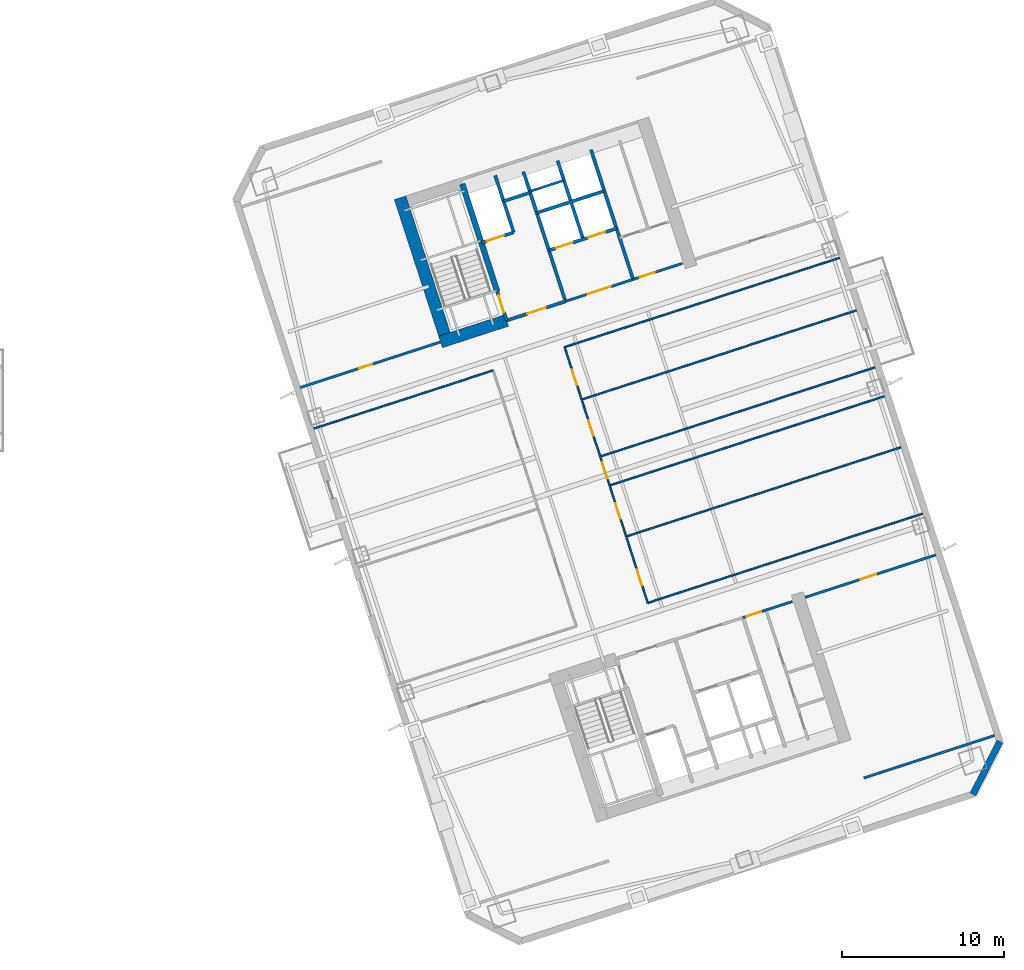
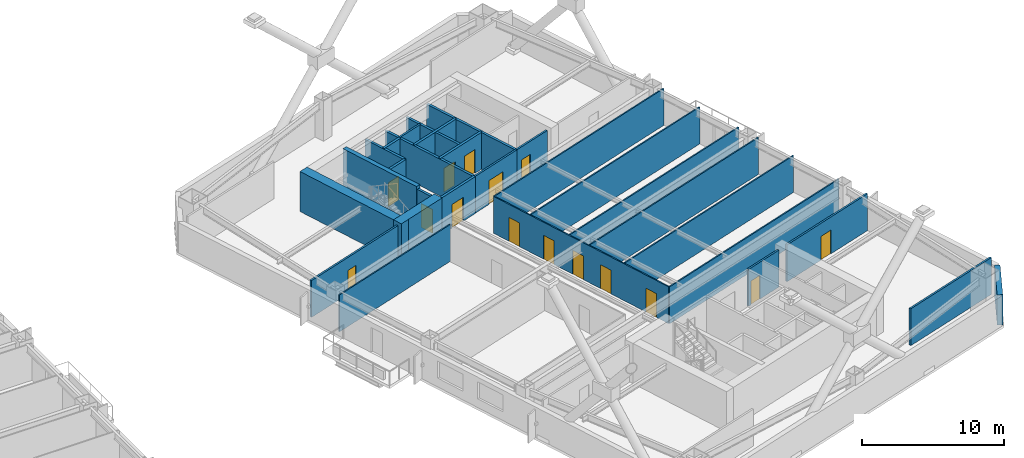
# One storey, part 10 of 19: 29 walls, 15 doors, 15 openings.
"""IFC4 building model written with IfcOpenShell, lengths in metres."""

from ifc_helpers import new_model, si_unit, direction, frame, frame_2d, origin, place, context, subcontext, project, spatial, rectangle, extrude, material, layer, layer_set, type_object, element, fill, save


model = new_model("IFC4")

# Units and contexts
model_context = context("Model", 3, precision=1e-05, world=origin(), true_north=direction((0.0, 1.0)))
body_context = subcontext(model_context, "Body", "Model", "MODEL_VIEW")
ifc_project = project(units=[si_unit("LENGTHUNIT", "METRE"), si_unit("AREAUNIT", "SQUARE_METRE"), si_unit("VOLUMEUNIT", "CUBIC_METRE"), si_unit("PLANEANGLEUNIT", "RADIAN"), si_unit("MASSUNIT", "GRAM", prefix="KILO")], contexts=[model_context])

# Site, building, storey
site_placement = place(None, origin())
site = spatial("IfcSite", under=ifc_project, at=site_placement, CompositionType="ELEMENT")
building_placement = place(site_placement, origin())
building = spatial("IfcBuilding", under=site, at=building_placement, Name="Qiaolan Cultural Towers", CompositionType="ELEMENT")
storey_placement = place(building_placement, frame((0.0, 0.0, 78.199951171875)))
storey = spatial("IfcBuildingStorey", under=building, at=storey_placement, Name="L19", CompositionType="ELEMENT", Elevation=78.199951171875)

# Walls
ifc_material_1 = material(Name="Concrete C50", Category="concrete")
ifc_layer_1 = layer(ifc_material_1, 0.35009765625)
ifc_layer_set_1 = layer_set([ifc_layer_1], Name="Concrete C50")
wall_type_1 = type_object("IfcWallType", Name="WL-CORE-350", PredefinedType="SHEAR", material=ifc_layer_set_1)
wall_1_placement = place(storey_placement, frame((82.513671875, 45.13134765625, 0.0), z_axis=(0.0, 0.0, 1.0), x_axis=(-0.308988790936, 0.951065679686, 0.0)))
element("IfcWall", 1, at=wall_1_placement, inside=storey, type_object=wall_type_1, Name="L19 T2-CN Stair Core Dividing Web", PredefinedType="SHEAR", context=body_context, shape_type="SweptSolid", body=[
    extrude(rectangle(XDim=6.97998046875, YDim=0.35009765625, at=frame_2d((3.489990234375, 0.0))), origin(), (0.0, 0.0, 1.0), 3.449951171875),
])
ifc_material_2 = material(Name="Concrete C60", Category="concrete")
ifc_layer_2 = layer(ifc_material_2, 0.75)
ifc_layer_set_2 = layer_set([ifc_layer_2], Name="Concrete C60")
wall_type_2 = type_object("IfcWallType", Name="WL-CORE-750", PredefinedType="SHEAR", material=ifc_layer_set_2)
wall_2_placement = place(storey_placement, frame((79.48876953125, 41.75634765625, 0.0), z_axis=(0.0, 0.0, 1.0), x_axis=(-0.309016134813, 0.951056795583, 0.0)))
element("IfcWall", 2, at=wall_2_placement, inside=storey, type_object=wall_type_2, Name="L19 T2-CN West Core Shear Wall", PredefinedType="SHEAR", context=body_context, shape_type="SweptSolid", body=[
    extrude(rectangle(XDim=9.630126953125, YDim=0.75, at=frame_2d((4.81494140625, 0.0))), origin(), (0.0, 0.0, 1.0), 3.449951171875),
])
wall_3_placement = place(storey_placement, frame((79.01611328125, 41.997314453125, 0.0), z_axis=(0.0, 0.0, 1.0), x_axis=(0.95106038264, 0.309005094736, 0.0)))
element("IfcWall", 3, at=wall_3_placement, inside=storey, type_object=wall_type_2, Name="L19 T2-CN Stair Front Shear Wall", PredefinedType="SHEAR", context=body_context, shape_type="SweptSolid", body=[
    extrude(rectangle(XDim=4.294921875, YDim=0.75, at=frame_2d((2.1474609375, 0.0))), origin(), (0.0, 0.0, 1.0), 3.449951171875),
])
ifc_material_3 = material(Name="Precast Concrete C50 Honed Stone Pier", Category="masonry")
ifc_layer_3 = layer(ifc_material_3, 0.39990234375)
ifc_layer_set_3 = layer_set([ifc_layer_3], Name="Precast Concrete C50 Honed Stone Pier")
wall_type_3 = type_object("IfcWallType", Name="WL-EXT-PIER-400", PredefinedType="SOLIDWALL", material=ifc_layer_set_3)
wall_4_placement = place(storey_placement, frame((113.62255859375, 17.281494140625, 0.0), z_axis=(0.0, 0.0, 1.0), x_axis=(-0.454026238093, -0.890988313685, 0.0)))
element("IfcWall", 4, at=wall_4_placement, inside=storey, type_object=wall_type_3, Name="L19 East Tower Precast Pier Facade Wall F6", PredefinedType="SOLIDWALL", context=body_context, shape_type="SweptSolid", body=[
    extrude(rectangle(XDim=3.677001953125, YDim=0.39990234375, at=frame_2d((1.83837890625, 0.0))), origin(), (0.0, 0.0, 1.0), 2.610107421875),
])

# Wall, opening, door
ifc_material_4 = material(Name="Concrete C35 Fire Wall", Category="concrete")
ifc_layer_4 = layer(ifc_material_4, 0.199951171875)
ifc_layer_set_4 = layer_set([ifc_layer_4], Name="Concrete C35 Fire Wall")
wall_type_4 = type_object("IfcWallType", Name="WL-FIRE-200", PredefinedType="PARTITIONING", material=ifc_layer_set_4)
wall_5_placement = place(storey_placement, frame((83.100830078125, 43.324462890625, 0.0), z_axis=(0.0, 0.0, 1.0), x_axis=(-0.309048298632, 0.951046344356, 0.0)))
wall_5 = element("IfcWall", 5, at=wall_5_placement, inside=storey, type_object=wall_type_4, Name="L19 T2-CN Smokeproof Stair Entry Wall", PredefinedType="PARTITIONING", context=body_context, shape_type="SweptSolid", body=[
    extrude(rectangle(XDim=1.89990234375, YDim=0.199951171875, at=frame_2d((0.949951171875, 0.0))), origin(), (0.0, 0.0, 1.0), 3.175048828125),
])
opening_1_placement = place(wall_5_placement, frame((0.52001953125, 0.0, 0.0)))
opening_1 = element("IfcOpeningElement", 6, at=opening_1_placement, cuts=wall_5, Name="Opening FD-04", PredefinedType="OPENING", context=body_context, shape_type="SweptSolid", body=[
    extrude(rectangle(XDim=1.10009765625, YDim=2.050048828125, at=frame_2d((0.550048828125, 1.02490234375))), frame((0.0, 0.10986328125, 0.0), z_axis=(0.0, -1.0, 0.0), x_axis=(1.0, 0.0, 0.0)), (0.0, 0.0, 1.0), 0.219970703125),
])
ifc_material_5 = material(Name="Galvanized Steel Command Fire Door", Category="steel")
door_type_1 = type_object("IfcDoorType", Name="DR-FD90-1100", OperationType="NOTDEFINED", PredefinedType="DOOR", material=ifc_material_5)
door_1_placement = place(opening_1_placement, origin())
door_1 = element("IfcDoor", 7, at=door_1_placement, inside=storey, type_object=door_type_1, Name="L19 ST-E2 Smokeproof Stair Fire Door", OperationType="SINGLE_SWING_LEFT", OverallHeight=2.050048828125, OverallWidth=1.10009765625, PredefinedType="DOOR", context=body_context, shape_type="SweptSolid", body=[
    extrude(rectangle(XDim=1.10009765625, YDim=2.050048828125, at=frame_2d((0.550048828125, 1.02490234375))), frame((0.0, 0.02490234375, 0.0), z_axis=(0.0, -1.0, 0.0), x_axis=(1.0, 0.0, 0.0)), (0.0, 0.0, 1.0), 0.050048828125),
])
fill(opening_1, door_1)

# Wall
wall_6_placement = place(storey_placement, frame((86.743408203125, 44.508056640625, 0.0), z_axis=(0.0, 0.0, 1.0), x_axis=(-0.309016001439, 0.951056838919, 0.0)))
element("IfcWall", 8, at=wall_6_placement, inside=storey, type_object=wall_type_4, Name="L19 T2-CN Firefighting Zone Wall", PredefinedType="PARTITIONING", context=body_context, shape_type="SweptSolid", body=[
    extrude(rectangle(XDim=8.429931640625, YDim=0.199951171875, at=frame_2d((4.21484375, 0.0))), origin(), (0.0, 0.0, 1.0), 3.175048828125),
])

# Wall, opening, door
wall_7_placement = place(storey_placement, frame((83.100830078125, 43.324462890625, 0.0), z_axis=(0.0, 0.0, 1.0), x_axis=(0.951052804469, 0.309028417967, 0.0)))
wall_7 = element("IfcWall", 9, at=wall_7_placement, inside=storey, type_object=wall_type_4, Name="L19 T2-CN Firefighting Lobby Front Wall", PredefinedType="PARTITIONING", context=body_context, shape_type="SweptSolid", body=[
    extrude(rectangle(XDim=3.830078125, YDim=0.199951171875, at=frame_2d((1.9150390625, 0.0))), origin(), (0.0, 0.0, 1.0), 3.175048828125),
])
opening_2_placement = place(wall_7_placement, frame((1.35009765625, 0.0, 0.0)))
opening_2 = element("IfcOpeningElement", 10, at=opening_2_placement, cuts=wall_7, Name="Opening FD-03", PredefinedType="OPENING", context=body_context, shape_type="SweptSolid", body=[
    extrude(rectangle(XDim=1.199951171875, YDim=2.050048828125, at=frame_2d((0.60009765625, 1.02490234375))), frame((0.0, 0.10986328125, 0.0), z_axis=(0.0, -1.0, 0.0), x_axis=(1.0, 0.0, 0.0)), (0.0, 0.0, 1.0), 0.219970703125),
])
ifc_material_6 = material(Name="Galvanized Steel Smokeproof Lobby Fire Door", Category="steel")
door_type_2 = type_object("IfcDoorType", Name="DR-FD90-1200", OperationType="NOTDEFINED", PredefinedType="DOOR", material=ifc_material_6)
door_2_placement = place(opening_2_placement, origin())
door_2 = element("IfcDoor", 11, at=door_2_placement, inside=storey, type_object=door_type_2, Name="L19 FFL-E2 Firefighting Lobby Fire Door", OperationType="SINGLE_SWING_LEFT", OverallHeight=2.050048828125, OverallWidth=1.199951171875, PredefinedType="DOOR", context=body_context, shape_type="SweptSolid", body=[
    extrude(rectangle(XDim=1.199951171875, YDim=2.050048828125, at=frame_2d((0.60009765625, 1.02490234375))), frame((0.0, 0.02490234375, 0.0), z_axis=(0.0, -1.0, 0.0), x_axis=(1.0, 0.0, 0.0)), (0.0, 0.0, 1.0), 0.050048828125),
])
fill(opening_2, door_2)

wall_8_placement = place(storey_placement, frame((81.540283203125, 48.127197265625, 0.0), z_axis=(0.0, 0.0, 1.0), x_axis=(0.951062257173, 0.308999325213, 0.0)))
wall_8 = element("IfcWall", 12, at=wall_8_placement, inside=storey, type_object=wall_type_4, Name="L19 T2-CN Firefighting Shaft Front Wall", PredefinedType="PARTITIONING", context=body_context, shape_type="SweptSolid", body=[
    extrude(rectangle(XDim=2.10009765625, YDim=0.199951171875, at=frame_2d((1.050048828125, 0.0))), origin(), (0.0, 0.0, 1.0), 3.175048828125),
])
opening_3_placement = place(wall_8_placement, frame((0.35009765625, 0.0, 0.0)))
opening_3 = element("IfcOpeningElement", 13, at=opening_3_placement, cuts=wall_8, Name="Opening LD-01", PredefinedType="OPENING", context=body_context, shape_type="SweptSolid", body=[
    extrude(rectangle(XDim=1.10009765625, YDim=2.050048828125, at=frame_2d((0.550048828125, 1.02490234375))), frame((0.0, 0.10986328125, 0.0), z_axis=(0.0, -1.0, 0.0), x_axis=(1.0, 0.0, 0.0)), (0.0, 0.0, 1.0), 0.219970703125),
])
ifc_material_7 = material(Name="Brushed Stainless Steel S30408 Centre-Parting Lift Landing Door", Category="steel")
door_type_3 = type_object("IfcDoorType", Name="DR-LIFT-1100", OperationType="NOTDEFINED", PredefinedType="DOOR", material=ifc_material_7)
door_3_placement = place(opening_3_placement, origin())
door_3 = element("IfcDoor", 14, at=door_3_placement, inside=storey, type_object=door_type_3, Name="L19 FFL-E2 Firefighting Lift Landing Door", OperationType="DOUBLE_DOOR_SLIDING", OverallHeight=2.050048828125, OverallWidth=1.10009765625, PredefinedType="DOOR", context=body_context, shape_type="SweptSolid", body=[
    extrude(rectangle(XDim=1.10009765625, YDim=2.050048828125, at=frame_2d((0.550048828125, 1.02490234375))), frame((0.0, 0.02490234375, 0.0), z_axis=(0.0, -1.0, 0.0), x_axis=(1.0, 0.0, 0.0)), (0.0, 0.0, 1.0), 0.050048828125),
])
fill(opening_3, door_3)

# Walls
wall_9_placement = place(storey_placement, frame((83.53759765625, 48.776123046875, 0.0), z_axis=(0.0, 0.0, 1.0), x_axis=(-0.3089935693, 0.951064127245, 0.0)))
element("IfcWall", 15, at=wall_9_placement, inside=storey, type_object=wall_type_4, Name="L19 T2-CN Firefighting Hoistway East Wall", PredefinedType="PARTITIONING", context=body_context, shape_type="SweptSolid", body=[
    extrude(rectangle(XDim=3.7001953125, YDim=0.199951171875, at=frame_2d((1.85009765625, 0.0))), origin(), (0.0, 0.0, 1.0), 3.175048828125),
])
wall_10_placement = place(storey_placement, frame((82.910400390625, 50.706787109375, 0.0), z_axis=(0.0, 0.0, 1.0), x_axis=(0.951041328149, 0.309063734775, 0.0)))
element("IfcWall", 16, at=wall_10_placement, inside=storey, type_object=wall_type_4, Name="L19 T2-CN Pressurization Shaft Front Wall", PredefinedType="PARTITIONING", context=body_context, shape_type="SweptSolid", body=[
    extrude(rectangle(XDim=1.72998046875, YDim=0.199951171875, at=frame_2d((0.864990234375, 0.0))), origin(), (0.0, 0.0, 1.0), 3.175048828125),
])
wall_11_placement = place(storey_placement, frame((90.92822265625, 45.86767578125, 0.0), z_axis=(0.0, 0.0, 1.0), x_axis=(-0.309042196757, 0.951048327176, 0.0)))
element("IfcWall", 17, at=wall_11_placement, inside=storey, type_object=wall_type_4, Name="L19 T2-CN Lift Core East Wall", PredefinedType="PARTITIONING", context=body_context, shape_type="SweptSolid", body=[
    extrude(rectangle(XDim=8.429931640625, YDim=0.199951171875, at=frame_2d((4.21484375, 0.0))), origin(), (0.0, 0.0, 1.0), 3.175048828125),
])

# Wall, openings, doors
wall_12_placement = place(storey_placement, frame((85.717529296875, 47.66552734375, 0.0), z_axis=(0.0, 0.0, 1.0), x_axis=(0.951058531764, 0.30901079133, 0.0)))
wall_12 = element("IfcWall", 18, at=wall_12_placement, inside=storey, type_object=wall_type_4, Name="L19 T2-CN Passenger Lift Shaft Front Wall", PredefinedType="PARTITIONING", context=body_context, shape_type="SweptSolid", body=[
    extrude(rectangle(XDim=4.39990234375, YDim=0.199951171875, at=frame_2d((2.199951171875, 0.0))), origin(), (0.0, 0.0, 1.0), 3.175048828125),
])
opening_4_placement = place(wall_12_placement, frame((0.449951171875, 0.0, 0.0)))
opening_4 = element("IfcOpeningElement", 19, at=opening_4_placement, cuts=wall_12, Name="Opening LD-01", PredefinedType="OPENING", context=body_context, shape_type="SweptSolid", body=[
    extrude(rectangle(XDim=1.10009765625, YDim=2.050048828125, at=frame_2d((0.550048828125, 1.02490234375))), frame((0.0, 0.10986328125, 0.0), z_axis=(0.0, -1.0, 0.0), x_axis=(1.0, 0.0, 0.0)), (0.0, 0.0, 1.0), 0.219970703125),
])
opening_5_placement = place(wall_12_placement, frame((2.550048828125, 0.0, 0.0)))
opening_5 = element("IfcOpeningElement", 20, at=opening_5_placement, cuts=wall_12, Name="Opening LD-01", PredefinedType="OPENING", context=body_context, shape_type="SweptSolid", body=[
    extrude(rectangle(XDim=1.10009765625, YDim=2.050048828125, at=frame_2d((0.550048828125, 1.02490234375))), frame((0.0, 0.10986328125, 0.0), z_axis=(0.0, -1.0, 0.0), x_axis=(1.0, 0.0, 0.0)), (0.0, 0.0, 1.0), 0.219970703125),
])
door_4_placement = place(opening_4_placement, origin())
door_4 = element("IfcDoor", 21, at=door_4_placement, inside=storey, type_object=door_type_3, Name="L19 Passenger Lift 1 Landing Door", OperationType="DOUBLE_DOOR_SLIDING", OverallHeight=2.050048828125, OverallWidth=1.10009765625, PredefinedType="DOOR", context=body_context, shape_type="SweptSolid", body=[
    extrude(rectangle(XDim=1.10009765625, YDim=2.050048828125, at=frame_2d((0.550048828125, 1.02490234375))), frame((0.0, 0.02490234375, 0.0), z_axis=(0.0, -1.0, 0.0), x_axis=(1.0, 0.0, 0.0)), (0.0, 0.0, 1.0), 0.050048828125),
])
fill(opening_4, door_4)
door_5_placement = place(opening_5_placement, origin())
door_5 = element("IfcDoor", 22, at=door_5_placement, inside=storey, type_object=door_type_3, Name="L19 Passenger Lift 2 Landing Door", OperationType="DOUBLE_DOOR_SLIDING", OverallHeight=2.050048828125, OverallWidth=1.10009765625, PredefinedType="DOOR", context=body_context, shape_type="SweptSolid", body=[
    extrude(rectangle(XDim=1.10009765625, YDim=2.050048828125, at=frame_2d((0.550048828125, 1.02490234375))), frame((0.0, 0.02490234375, 0.0), z_axis=(0.0, -1.0, 0.0), x_axis=(1.0, 0.0, 0.0)), (0.0, 0.0, 1.0), 0.050048828125),
])
fill(opening_5, door_5)

# Walls
wall_13_placement = place(storey_placement, frame((87.83837890625, 48.3544921875, 0.0), z_axis=(0.0, 0.0, 1.0), x_axis=(-0.3090093719, 0.951058992953, 0.0)))
element("IfcWall", 23, at=wall_13_placement, inside=storey, type_object=wall_type_4, Name="L19 T2-CN Lift Shaft Divider Wall", PredefinedType="PARTITIONING", context=body_context, shape_type="SweptSolid", body=[
    extrude(rectangle(XDim=5.110107421875, YDim=0.199951171875, at=frame_2d((2.55517578125, 0.0))), origin(), (0.0, 0.0, 1.0), 3.175048828125),
])
wall_14_placement = place(storey_placement, frame((84.966552734375, 49.9765625, 0.0), z_axis=(0.0, 0.0, 1.0), x_axis=(0.951063829732, 0.308994485023, 0.0)))
element("IfcWall", 24, at=wall_14_placement, inside=storey, type_object=wall_type_4, Name="L19 T2-CN Passenger Lift Shaft Back Wall", PredefinedType="PARTITIONING", context=body_context, shape_type="SweptSolid", body=[
    extrude(rectangle(XDim=4.400146484375, YDim=0.199951171875, at=frame_2d((2.2001953125, 0.0))), origin(), (0.0, 0.0, 1.0), 3.175048828125),
])
ifc_material_8 = material(Name="Acoustic Double-Glazed Partition Frame", Category="glass")
ifc_layer_5 = layer(ifc_material_8, 0.10009765625)
ifc_layer_set_5 = layer_set([ifc_layer_5], Name="Acoustic Double-Glazed Partition Frame")
wall_type_5 = type_object("IfcWallType", Name="WL-GLAZED-100", PredefinedType="MOVABLE", material=ifc_layer_set_5)
wall_15_placement = place(storey_placement, frame((91.833984375, 25.84765625, 0.0), z_axis=(0.0, 0.0, 1.0), x_axis=(0.951055746746, 0.309019362795, 0.0)))
element("IfcWall", 25, at=wall_15_placement, inside=storey, type_object=wall_type_5, Name="L19 T2 South Corridor Right Wall", PredefinedType="MOVABLE", context=body_context, shape_type="SweptSolid", body=[
    extrude(rectangle(XDim=17.874755859375, YDim=0.10009765625, at=frame_2d((8.9375, 0.0))), origin(), (0.0, 0.0, 1.0), 3.175048828125),
])
wall_16_placement = place(storey_placement, frame((71.166015625, 36.628662109375, 0.0), z_axis=(0.0, 0.0, 1.0), x_axis=(0.951058653673, 0.309010416124, 0.0)))
element("IfcWall", 26, at=wall_16_placement, inside=storey, type_object=wall_type_5, Name="L19 T2 North Corridor Left Wall", PredefinedType="MOVABLE", context=body_context, shape_type="SweptSolid", body=[
    extrude(rectangle(XDim=11.6748046875, YDim=0.10009765625, at=frame_2d((5.83740234375, 0.0))), origin(), (0.0, 0.0, 1.0), 3.175048828125),
])
wall_17_placement = place(storey_placement, frame((86.69189453125, 41.67333984375, 0.0), z_axis=(0.0, 0.0, 1.0), x_axis=(0.951057050993, 0.309015348739, 0.0)))
element("IfcWall", 27, at=wall_17_placement, inside=storey, type_object=wall_type_5, Name="L19 T2 North Corridor Right Wall", PredefinedType="MOVABLE", context=body_context, shape_type="SweptSolid", body=[
    extrude(rectangle(XDim=17.875, YDim=0.10009765625, at=frame_2d((8.9375, 0.0))), origin(), (0.0, 0.0, 1.0), 3.175048828125),
])

# Wall, openings, doors
wall_18_placement = place(storey_placement, frame((91.833984375, 25.84765625, 0.0), z_axis=(0.0, 0.0, 1.0), x_axis=(-0.30901773025, 0.951056277195, 0.0)))
wall_18 = element("IfcWall", 28, at=wall_18_placement, inside=storey, type_object=wall_type_5, Name="L19 T2 East Spine Wall", PredefinedType="MOVABLE", context=body_context, shape_type="SweptSolid", body=[
    extrude(rectangle(XDim=16.64013671875, YDim=0.10009765625, at=frame_2d((8.320068359375, 0.0))), origin(), (0.0, 0.0, 1.0), 3.175048828125),
])
opening_6_placement = place(wall_18_placement, frame((1.159912109375, 0.0, 0.0)))
opening_6 = element("IfcOpeningElement", 29, at=opening_6_placement, cuts=wall_18, Name="Opening ID-04", PredefinedType="OPENING", context=body_context, shape_type="SweptSolid", body=[
    extrude(rectangle(XDim=1.0, YDim=2.050048828125, at=frame_2d((0.5, 1.02490234375))), frame((0.0, 0.06005859375, 0.0), z_axis=(0.0, -1.0, 0.0), x_axis=(1.0, 0.0, 0.0)), (0.0, 0.0, 1.0), 0.1201171875),
])
opening_7_placement = place(wall_18_placement, frame((5.47998046875, 0.0, 0.0)))
opening_7 = element("IfcOpeningElement", 30, at=opening_7_placement, cuts=wall_18, Name="Opening ID-04", PredefinedType="OPENING", context=body_context, shape_type="SweptSolid", body=[
    extrude(rectangle(XDim=1.0, YDim=2.050048828125, at=frame_2d((0.5, 1.02490234375))), frame((0.0, 0.06005859375, 0.0), z_axis=(0.0, -1.0, 0.0), x_axis=(1.0, 0.0, 0.0)), (0.0, 0.0, 1.0), 0.1201171875),
])
opening_8_placement = place(wall_18_placement, frame((8.080078125, 0.0, 0.0)))
opening_8 = element("IfcOpeningElement", 31, at=opening_8_placement, cuts=wall_18, Name="Opening ID-07", PredefinedType="OPENING", context=body_context, shape_type="SweptSolid", body=[
    extrude(rectangle(XDim=1.050048828125, YDim=2.050048828125, at=frame_2d((0.52490234375, 1.02490234375))), frame((0.0, 0.06005859375, 0.0), z_axis=(0.0, -1.0, 0.0), x_axis=(1.0, 0.0, 0.0)), (0.0, 0.0, 1.0), 0.1201171875),
])
opening_9_placement = place(wall_18_placement, frame((10.874267578125, 0.0, 0.0)))
opening_9 = element("IfcOpeningElement", 32, at=opening_9_placement, cuts=wall_18, Name="Opening ID-04", PredefinedType="OPENING", context=body_context, shape_type="SweptSolid", body=[
    extrude(rectangle(XDim=1.0, YDim=2.050048828125, at=frame_2d((0.5, 1.02490234375))), frame((0.0, 0.06005859375, 0.0), z_axis=(0.0, -1.0, 0.0), x_axis=(1.0, 0.0, 0.0)), (0.0, 0.0, 1.0), 0.1201171875),
])
opening_10_placement = place(wall_18_placement, frame((14.17431640625, 0.0, 0.0)))
opening_10 = element("IfcOpeningElement", 33, at=opening_10_placement, cuts=wall_18, Name="Opening ID-04", PredefinedType="OPENING", context=body_context, shape_type="SweptSolid", body=[
    extrude(rectangle(XDim=1.0, YDim=2.050048828125, at=frame_2d((0.5, 1.02490234375))), frame((0.0, 0.06005859375, 0.0), z_axis=(0.0, -1.0, 0.0), x_axis=(1.0, 0.0, 0.0)), (0.0, 0.0, 1.0), 0.1201171875),
])
ifc_material_9 = material(Name="Oak Veneer Acoustic Office Door", Category="timber")
door_type_4 = type_object("IfcDoorType", Name="DR-INT-1000", OperationType="NOTDEFINED", PredefinedType="DOOR", material=ifc_material_9)
door_6_placement = place(opening_6_placement, origin())
door_6 = element("IfcDoor", 34, at=door_6_placement, inside=storey, type_object=door_type_4, Name="L19 T2 Boutique Art Shop Door", OperationType="SINGLE_SWING_RIGHT", OverallHeight=2.050048828125, OverallWidth=1.0, PredefinedType="DOOR", context=body_context, shape_type="SweptSolid", body=[
    extrude(rectangle(XDim=1.0, YDim=2.050048828125, at=frame_2d((0.5, 1.02490234375))), frame((0.0, 0.02490234375, 0.0), z_axis=(0.0, -1.0, 0.0), x_axis=(1.0, 0.0, 0.0)), (0.0, 0.0, 1.0), 0.050048828125),
])
fill(opening_6, door_6)
door_7_placement = place(opening_7_placement, origin())
door_7 = element("IfcDoor", 35, at=door_7_placement, inside=storey, type_object=door_type_4, Name="L19 T2 Boutique Art Shop Door", OperationType="SINGLE_SWING_RIGHT", OverallHeight=2.050048828125, OverallWidth=1.0, PredefinedType="DOOR", context=body_context, shape_type="SweptSolid", body=[
    extrude(rectangle(XDim=1.0, YDim=2.050048828125, at=frame_2d((0.5, 1.02490234375))), frame((0.0, 0.02490234375, 0.0), z_axis=(0.0, -1.0, 0.0), x_axis=(1.0, 0.0, 0.0)), (0.0, 0.0, 1.0), 0.050048828125),
])
fill(opening_7, door_7)
door_8_placement = place(opening_9_placement, origin())
door_8 = element("IfcDoor", 36, at=door_8_placement, inside=storey, type_object=door_type_4, Name="L19 T2 Conference Room Door", OperationType="SINGLE_SWING_RIGHT", OverallHeight=2.050048828125, OverallWidth=1.0, PredefinedType="DOOR", context=body_context, shape_type="SweptSolid", body=[
    extrude(rectangle(XDim=1.0, YDim=2.050048828125, at=frame_2d((0.5, 1.02490234375))), frame((0.0, 0.02490234375, 0.0), z_axis=(0.0, -1.0, 0.0), x_axis=(1.0, 0.0, 0.0)), (0.0, 0.0, 1.0), 0.050048828125),
])
fill(opening_9, door_8)
door_9_placement = place(opening_10_placement, origin())
door_9 = element("IfcDoor", 37, at=door_9_placement, inside=storey, type_object=door_type_4, Name="L19 T2 Club Lounge Door", OperationType="SINGLE_SWING_LEFT", OverallHeight=2.050048828125, OverallWidth=1.0, PredefinedType="DOOR", context=body_context, shape_type="SweptSolid", body=[
    extrude(rectangle(XDim=1.0, YDim=2.050048828125, at=frame_2d((0.5, 1.02490234375))), frame((0.0, 0.02490234375, 0.0), z_axis=(0.0, -1.0, 0.0), x_axis=(1.0, 0.0, 0.0)), (0.0, 0.0, 1.0), 0.050048828125),
])
fill(opening_10, door_9)
ifc_material_10 = material(Name="Oak Veneer Consultation Door", Category="timber")
door_type_5 = type_object("IfcDoorType", Name="DR-INT-1050", OperationType="NOTDEFINED", PredefinedType="DOOR", material=ifc_material_10)
door_10_placement = place(opening_8_placement, origin())
door_10 = element("IfcDoor", 38, at=door_10_placement, inside=storey, type_object=door_type_5, Name="L19 T2 Wellness Care Room Door", OperationType="SINGLE_SWING_LEFT", OverallHeight=2.050048828125, OverallWidth=1.050048828125, PredefinedType="DOOR", context=body_context, shape_type="SweptSolid", body=[
    extrude(rectangle(XDim=1.050048828125, YDim=2.050048828125, at=frame_2d((0.52490234375, 1.02490234375))), frame((0.0, 0.02490234375, 0.0), z_axis=(0.0, -1.0, 0.0), x_axis=(1.0, 0.0, 0.0)), (0.0, 0.0, 1.0), 0.050048828125),
])
fill(opening_8, door_10)

# Walls
for number, where, z_axis, x_axis, name in (
    (39, (90.4990234375, 29.956298828125, 0.0), (0.0, 0.0, 1.0), (0.951055746746, 0.309019362795, 0.0), "L19 T2 East Partition 2"),
    (40, (89.47314453125, 33.11376953125, 0.0), (0.0, 0.0, 1.0), (0.951055746746, 0.309019362795, 0.0), "L19 T2 East Partition 3"),
):
    element("IfcWall", number, at=place(storey_placement, frame(where, z_axis=z_axis, x_axis=x_axis)), inside=storey, type_object=wall_type_5, Name=name, PredefinedType="MOVABLE", context=body_context, shape_type="SweptSolid", body=[
        extrude(rectangle(XDim=17.874755859375, YDim=0.10009765625, at=frame_2d((8.9375, 0.0))), origin(), (0.0, 0.0, 1.0), 3.175048828125),
    ])
for number, where, z_axis, x_axis, name in (
    (41, (88.89208984375, 34.90185546875, 0.0), (0.0, 0.0, 1.0), (0.951057050993, 0.309015348739, 0.0), "L19 T2 East Partition 4"),
    (42, (87.74609375, 38.4287109375, 0.0), (0.0, 0.0, 1.0), (0.951057050993, 0.309015348739, 0.0), "L19 T2 East Partition 5"),
):
    element("IfcWall", number, at=place(storey_placement, frame(where, z_axis=z_axis, x_axis=x_axis)), inside=storey, type_object=wall_type_5, Name=name, PredefinedType="MOVABLE", context=body_context, shape_type="SweptSolid", body=[
        extrude(rectangle(XDim=17.875, YDim=0.10009765625, at=frame_2d((8.9375, 0.0))), origin(), (0.0, 0.0, 1.0), 3.175048828125),
    ])

# Wall, opening, door
ifc_material_11 = material(Name="Autoclaved Aerated Concrete Block B06", Category="concrete")
ifc_layer_6 = layer(ifc_material_11, 0.14990234375)
ifc_layer_set_6 = layer_set([ifc_layer_6], Name="Autoclaved Aerated Concrete Block B06")
wall_type_6 = type_object("IfcWallType", Name="WL-PART-150", PredefinedType="PARTITIONING", material=ifc_layer_set_6)
wall_19_placement = place(storey_placement, frame((97.7265625, 24.9443359375, 0.0), z_axis=(0.0, 0.0, 1.0), x_axis=(0.951036872128, 0.309077446369, 0.0)))
wall_19 = element("IfcWall", 43, at=wall_19_placement, inside=storey, type_object=wall_type_6, Name="L19 T2-CS Sanitary Core Front Wall", PredefinedType="PARTITIONING", context=body_context, shape_type="SweptSolid", body=[
    extrude(rectangle(XDim=3.199951171875, YDim=0.14990234375, at=frame_2d((1.60009765625, 0.0))), origin(), (0.0, 0.0, 1.0), 3.175048828125),
])
opening_11_placement = place(wall_19_placement, frame((0.219970703125, 0.0, 0.0)))
opening_11 = element("IfcOpeningElement", 44, at=opening_11_placement, cuts=wall_19, Name="Opening ID-05", PredefinedType="OPENING", context=body_context, shape_type="SweptSolid", body=[
    extrude(rectangle(XDim=0.949951171875, YDim=2.050048828125, at=frame_2d((0.47509765625, 1.02490234375))), frame((0.0, 0.0849609375, 0.0), z_axis=(0.0, -1.0, 0.0), x_axis=(1.0, 0.0, 0.0)), (0.0, 0.0, 1.0), 0.169921875),
])
ifc_material_12 = material(Name="Fire-Rated Laminate Accessible Core Door", Category="timber")
door_type_6 = type_object("IfcDoorType", Name="DR-INT-950", OperationType="NOTDEFINED", PredefinedType="DOOR", material=ifc_material_12)
door_11_placement = place(opening_11_placement, origin())
door_11 = element("IfcDoor", 45, at=door_11_placement, inside=storey, type_object=door_type_6, Name="L19 Sanitary Vestibule Door", OperationType="SINGLE_SWING_LEFT", OverallHeight=2.050048828125, OverallWidth=0.949951171875, PredefinedType="DOOR", context=body_context, shape_type="SweptSolid", body=[
    extrude(rectangle(XDim=0.949951171875, YDim=2.050048828125, at=frame_2d((0.47509765625, 1.02490234375))), frame((0.0, 0.02490234375, 0.0), z_axis=(0.0, -1.0, 0.0), x_axis=(1.0, 0.0, 0.0)), (0.0, 0.0, 1.0), 0.050048828125),
])
fill(opening_11, door_11)

wall_20_placement = place(storey_placement, frame((86.743408203125, 44.508056640625, 0.0), z_axis=(0.0, 0.0, 1.0), x_axis=(0.951063829732, 0.308994485023, 0.0)))
wall_20 = element("IfcWall", 46, at=wall_20_placement, inside=storey, type_object=wall_type_6, Name="L19 T2-CN Passenger Lift Lobby Front Wall", PredefinedType="PARTITIONING", context=body_context, shape_type="SweptSolid", body=[
    extrude(rectangle(XDim=4.400146484375, YDim=0.14990234375, at=frame_2d((2.2001953125, 0.0))), origin(), (0.0, 0.0, 1.0), 3.175048828125),
])
opening_12_placement = place(wall_20_placement, frame((1.449951171875, 0.0, 0.0)))
opening_12 = element("IfcOpeningElement", 47, at=opening_12_placement, cuts=wall_20, Name="Opening FD-05", PredefinedType="OPENING", context=body_context, shape_type="SweptSolid", body=[
    extrude(rectangle(XDim=1.5, YDim=2.050048828125, at=frame_2d((0.75, 1.02490234375))), frame((0.0, 0.0849609375, 0.0), z_axis=(0.0, -1.0, 0.0), x_axis=(1.0, 0.0, 0.0)), (0.0, 0.0, 1.0), 0.169921875),
])
ifc_material_13 = material(Name="Painted Steel Lift Lobby Fire Door", Category="steel")
door_type_7 = type_object("IfcDoorType", Name="DR-FD60-1500", OperationType="NOTDEFINED", PredefinedType="DOOR", material=ifc_material_13)
door_12_placement = place(opening_12_placement, origin())
door_12 = element("IfcDoor", 48, at=door_12_placement, inside=storey, type_object=door_type_7, Name="L19 Passenger Lift Lobby Entrance", OperationType="SINGLE_SWING_LEFT", OverallHeight=2.050048828125, OverallWidth=1.5, PredefinedType="DOOR", context=body_context, shape_type="SweptSolid", body=[
    extrude(rectangle(XDim=1.5, YDim=2.050048828125, at=frame_2d((0.75, 1.02490234375))), frame((0.0, 0.02490234375, 0.0), z_axis=(0.0, -1.0, 0.0), x_axis=(1.0, 0.0, 0.0)), (0.0, 0.0, 1.0), 0.050048828125),
])
fill(opening_12, door_12)

# Wall
wall_21_placement = place(storey_placement, frame((84.533935546875, 51.30810546875, 0.0), z_axis=(0.0, 0.0, 1.0), x_axis=(0.951075093106, 0.308959814982, 0.0)))
element("IfcWall", 49, at=wall_21_placement, inside=storey, type_object=wall_type_6, Name="L19 T2-CN Core Rear Riser Split", PredefinedType="PARTITIONING", context=body_context, shape_type="SweptSolid", body=[
    extrude(rectangle(XDim=2.22998046875, YDim=0.14990234375, at=frame_2d((1.114990234375, 0.0))), origin(), (0.0, 0.0, 1.0), 3.175048828125),
])

# Wall, opening, door
wall_22_placement = place(storey_placement, frame((90.92822265625, 45.86767578125, 0.0), z_axis=(0.0, 0.0, 1.0), x_axis=(0.951059297078, 0.309008435874, 0.0)))
wall_22 = element("IfcWall", 50, at=wall_22_placement, inside=storey, type_object=wall_type_6, Name="L19 T2-CN Sanitary Core Front Wall", PredefinedType="PARTITIONING", context=body_context, shape_type="SweptSolid", body=[
    extrude(rectangle(XDim=3.19970703125, YDim=0.14990234375, at=frame_2d((1.599853515625, 0.0))), origin(), (0.0, 0.0, 1.0), 3.175048828125),
])
opening_13_placement = place(wall_22_placement, frame((0.449951171875, 0.0, 0.0)))
opening_13 = element("IfcOpeningElement", 51, at=opening_13_placement, cuts=wall_22, Name="Opening ID-05", PredefinedType="OPENING", context=body_context, shape_type="SweptSolid", body=[
    extrude(rectangle(XDim=0.949951171875, YDim=2.050048828125, at=frame_2d((0.47509765625, 1.02490234375))), frame((0.0, 0.0849609375, 0.0), z_axis=(0.0, -1.0, 0.0), x_axis=(1.0, 0.0, 0.0)), (0.0, 0.0, 1.0), 0.169921875),
])
door_13_placement = place(opening_13_placement, origin())
door_13 = element("IfcDoor", 52, at=door_13_placement, inside=storey, type_object=door_type_6, Name="L19 Sanitary Vestibule Door", OperationType="SINGLE_SWING_LEFT", OverallHeight=2.050048828125, OverallWidth=0.949951171875, PredefinedType="DOOR", context=body_context, shape_type="SweptSolid", body=[
    extrude(rectangle(XDim=0.949951171875, YDim=2.050048828125, at=frame_2d((0.47509765625, 1.02490234375))), frame((0.0, 0.02490234375, 0.0), z_axis=(0.0, -1.0, 0.0), x_axis=(1.0, 0.0, 0.0)), (0.0, 0.0, 1.0), 0.050048828125),
])
fill(opening_13, door_13)

# Wall
wall_23_placement = place(storey_placement, frame((105.209228515625, 15.02099609375, 0.0), z_axis=(0.0, 0.0, 1.0), x_axis=(0.951054329824, 0.309023723562, 0.0)))
element("IfcWall", 53, at=wall_23_placement, inside=storey, type_object=wall_type_6, Name="L19 T2 Flank Wall FLK-SE", PredefinedType="PARTITIONING", context=body_context, shape_type="SweptSolid", body=[
    extrude(rectangle(XDim=8.5, YDim=0.14990234375, at=frame_2d((4.25, 0.0))), origin(), (0.0, 0.0, 1.0), 3.175048828125),
])

# Wall, opening, door
wall_24_placement = place(storey_placement, frame((101.578369140625, 26.196044921875, 0.0), z_axis=(0.0, 0.0, 1.0), x_axis=(0.951062770994, 0.308997743729, 0.0)))
wall_24 = element("IfcWall", 54, at=wall_24_placement, inside=storey, type_object=wall_type_6, Name="L19 T2 Flank Front FLK-SE", PredefinedType="PARTITIONING", context=body_context, shape_type="SweptSolid", body=[
    extrude(rectangle(XDim=8.5, YDim=0.14990234375, at=frame_2d((4.25, 0.0))), origin(), (0.0, 0.0, 1.0), 3.175048828125),
])
opening_14_placement = place(wall_24_placement, frame((3.570068359375, 0.0, 0.0)))
opening_14 = element("IfcOpeningElement", 55, at=opening_14_placement, cuts=wall_24, Name="Opening ID-07", PredefinedType="OPENING", context=body_context, shape_type="SweptSolid", body=[
    extrude(rectangle(XDim=1.050048828125, YDim=2.050048828125, at=frame_2d((0.52490234375, 1.02490234375))), frame((0.0, 0.0849609375, 0.0), z_axis=(0.0, -1.0, 0.0), x_axis=(1.0, 0.0, 0.0)), (0.0, 0.0, 1.0), 0.169921875),
])
door_14_placement = place(opening_14_placement, origin())
door_14 = element("IfcDoor", 56, at=door_14_placement, inside=storey, type_object=door_type_5, Name="L19 T2 Corner Studio Door", OperationType="SINGLE_SWING_LEFT", OverallHeight=2.050048828125, OverallWidth=1.050048828125, PredefinedType="DOOR", context=body_context, shape_type="SweptSolid", body=[
    extrude(rectangle(XDim=1.050048828125, YDim=2.050048828125, at=frame_2d((0.52490234375, 1.02490234375))), frame((0.0, 0.02490234375, 0.0), z_axis=(0.0, -1.0, 0.0), x_axis=(1.0, 0.0, 0.0)), (0.0, 0.0, 1.0), 0.050048828125),
])
fill(opening_14, door_14)

wall_25_placement = place(storey_placement, frame((70.337646484375, 39.177490234375, 0.0), z_axis=(0.0, 0.0, 1.0), x_axis=(0.951059695568, 0.309007209409, 0.0)))
wall_25 = element("IfcWall", 57, at=wall_25_placement, inside=storey, type_object=wall_type_6, Name="L19 T2 Flank Front FLK-NW", PredefinedType="PARTITIONING", context=body_context, shape_type="SweptSolid", body=[
    extrude(rectangle(XDim=9.10009765625, YDim=0.14990234375, at=frame_2d((4.550048828125, 0.0))), origin(), (0.0, 0.0, 1.0), 3.175048828125),
])
opening_15_placement = place(wall_25_placement, frame((3.822021484375, 0.0, 0.0)))
opening_15 = element("IfcOpeningElement", 58, at=opening_15_placement, cuts=wall_25, Name="Opening ID-09", PredefinedType="OPENING", context=body_context, shape_type="SweptSolid", body=[
    extrude(rectangle(XDim=0.85009765625, YDim=2.050048828125, at=frame_2d((0.425048828125, 1.02490234375))), frame((0.0, 0.0849609375, 0.0), z_axis=(0.0, -1.0, 0.0), x_axis=(1.0, 0.0, 0.0)), (0.0, 0.0, 1.0), 0.169921875),
])
ifc_material_14 = material(Name="Moisture-Resistant Laminate Utility Door", Category="timber")
door_type_8 = type_object("IfcDoorType", Name="DR-INT-850", OperationType="NOTDEFINED", PredefinedType="DOOR", material=ifc_material_14)
door_15_placement = place(opening_15_placement, origin())
door_15 = element("IfcDoor", 59, at=door_15_placement, inside=storey, type_object=door_type_8, Name="L19 T2 Corner Studio Door", OperationType="SINGLE_SWING_LEFT", OverallHeight=2.050048828125, OverallWidth=0.85009765625, PredefinedType="DOOR", context=body_context, shape_type="SweptSolid", body=[
    extrude(rectangle(XDim=0.85009765625, YDim=2.050048828125, at=frame_2d((0.425048828125, 1.02490234375))), frame((0.0, 0.02490234375, 0.0), z_axis=(0.0, -1.0, 0.0), x_axis=(1.0, 0.0, 0.0)), (0.0, 0.0, 1.0), 0.050048828125),
])
fill(opening_15, door_15)

save(model, "model.ifc")
